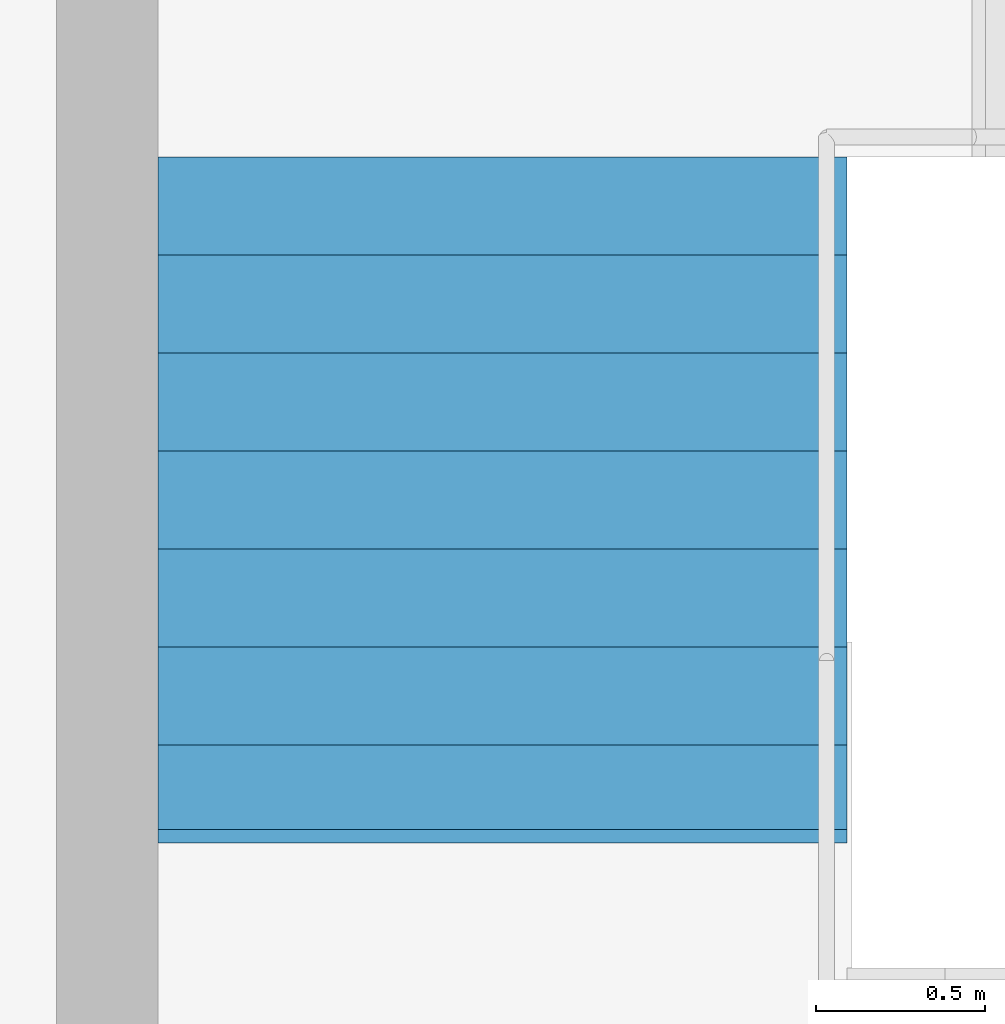
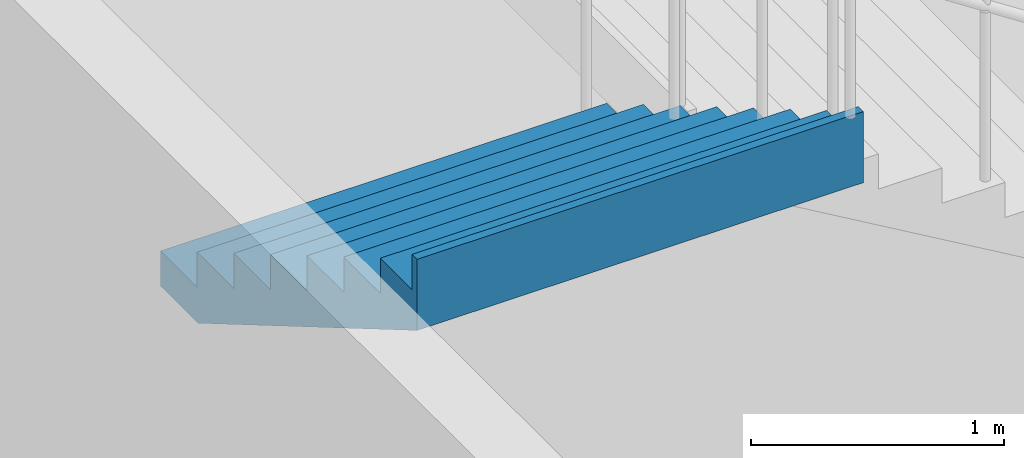
# One storey, part 42 of 50: 1 stair flight, 1 element without a shape of its own.
"""IFC4 building model written with IfcOpenShell, lengths in metres."""

import ifcopenshell
import ifcopenshell.guid

model = None  # the IFC model being written
_history = None  # IfcOwnerHistory: only IFC2X3 demands one
_inside = {}  # id of a spatial element -> (the spatial element, [elements in it])
_under = {}  # id of a project, library or spatial element -> (it, [spatial elements below it])
_declared = {}  # id of a project -> (the project, [libraries it declares])
_typed = {}  # id of a type object -> (the type object, [elements of that type])
_made_of = {}  # id of a material, layer set ... -> (it, [elements and type objects made of it])


def new_model(schema):
    """Start an empty IFC model of exactly this schema.

    Asked for "IFC4X3", IfcOpenShell would pick the latest addendum, in which some entities
    have other attributes; the version numbers below select the first issue.
    IFC2X3 requires an IfcOwnerHistory on every rooted entity: one is made here for all.
    """
    global model, _history
    if schema == "IFC4X3":
        model = ifcopenshell.file(schema_version=(4, 3, 0, 0))
    else:
        model = ifcopenshell.file(schema=schema)
    _inside.clear()
    _under.clear()
    _declared.clear()
    _typed.clear()
    _made_of.clear()
    _history = None
    if model.schema == "IFC2X3":
        org = make("IfcOrganization", Name="unknown")
        user = make(
            "IfcPersonAndOrganization",
            ThePerson=make("IfcPerson", FamilyName="unknown"),
            TheOrganization=org,
        )
        app = make(
            "IfcApplication",
            ApplicationDeveloper=org,
            Version="unknown",
            ApplicationFullName="unknown",
            ApplicationIdentifier="unknown",
        )
        _history = make(
            "IfcOwnerHistory",
            OwningUser=user,
            OwningApplication=app,
            ChangeAction="ADDED",
            CreationDate=0,
        )
    return model


def make(cls, **values):
    """One entity of the class cls with the attributes given. An attribute that is None is left unset."""
    return model.create_entity(
        cls, **{name: value for name, value in values.items() if value is not None}
    )


def rooted(cls, **values):
    """An entity with a GlobalId (a new one), such as an element, a storey or a relation."""
    return make(cls, GlobalId=ifcopenshell.guid.new(), OwnerHistory=_history, **values)


def si_unit(unit_type, name, prefix=None):
    """IfcSIUnit, for example si_unit("LENGTHUNIT", "METRE", prefix="MILLI")."""
    return make("IfcSIUnit", UnitType=unit_type, Prefix=prefix, Name=name)


def assignment(units):
    """IfcUnitAssignment: the units of a project."""
    return None if units is None else make("IfcUnitAssignment", Units=units)


def point(xyz):
    """IfcCartesianPoint."""
    return None if xyz is None else make("IfcCartesianPoint", Coordinates=xyz)


def direction(xyz):
    """IfcDirection."""
    return None if xyz is None else make("IfcDirection", DirectionRatios=xyz)


def frame(location, z_axis=None, x_axis=None):
    """IfcAxis2Placement3D, a coordinate frame: its origin and axes. An axis left out is left unset."""
    return make(
        "IfcAxis2Placement3D",
        Location=point(location),
        Axis=direction(z_axis),
        RefDirection=direction(x_axis),
    )


def origin():
    """The frame at (0, 0, 0) with its axes left unset."""
    return frame((0.0, 0.0, 0.0))


def place(relative_to, where):
    """IfcLocalPlacement: puts the frame where relative to a parent placement (None: the world)."""
    return make(
        "IfcLocalPlacement", PlacementRelTo=relative_to, RelativePlacement=where
    )


def context(
    kind, dimensions, precision=None, world=None, true_north=None, identifier=None
):
    """IfcGeometricRepresentationContext, for example the 3D "Model" context."""
    return make(
        "IfcGeometricRepresentationContext",
        ContextIdentifier=identifier,
        ContextType=kind,
        CoordinateSpaceDimension=dimensions,
        Precision=precision,
        WorldCoordinateSystem=world,
        TrueNorth=true_north,
    )


def subcontext(parent, identifier, kind, view, scale=None):
    """IfcGeometricRepresentationSubContext, for example "Body" below "Model"."""
    return make(
        "IfcGeometricRepresentationSubContext",
        ContextIdentifier=identifier,
        ContextType=kind,
        ParentContext=parent,
        TargetScale=scale,
        TargetView=view,
    )


def project(units=None, contexts=None):
    """IfcProject with its units and contexts."""
    return rooted(
        "IfcProject",
        Name="project",
        RepresentationContexts=contexts,
        UnitsInContext=assignment(units),
    )


def spatial(cls, under=None, at=None, **own):
    """A site, building, storey or space (cls), placed at a placement, below another one or the project."""
    s = rooted(cls, ObjectPlacement=at, **own)
    if under is not None:
        _under.setdefault(under.id(), (under, []))[1].append(s)
    return s


def point_list(points):
    """IfcCartesianPointList2D or 3D."""
    cls = (
        "IfcCartesianPointList2D" if len(points[0]) == 2 else "IfcCartesianPointList3D"
    )
    return make(cls, CoordList=points)


def triangles(points, corners, closed=None, point_numbers=None):
    """IfcTriangulatedFaceSet: each triangle names its three corners, points numbered from 1."""
    return make(
        "IfcTriangulatedFaceSet",
        Coordinates=point_list(points),
        Closed=closed,
        CoordIndex=corners,
        PnIndex=point_numbers,
    )


def shape(context_of_items, identifier, shape_type, items):
    """IfcShapeRepresentation: the items that make up one representation, for example the "Body"."""
    return make(
        "IfcShapeRepresentation",
        ContextOfItems=context_of_items,
        RepresentationIdentifier=identifier,
        RepresentationType=shape_type,
        Items=items,
    )


def material(Name=None, Category=None):
    """IfcMaterial."""
    return make("IfcMaterial", Name=Name, Category=Category)


def made_of(thing, what):
    """Note that an element or type object is made of a material, layer set ...; save() writes the relation."""
    if what is not None:
        _made_of.setdefault(what.id(), (what, []))[1].append(thing)
    return thing


def type_object(cls, material=None, **own):
    """A type object (cls), such as IfcWallType, which elements share."""
    return made_of(rooted(cls, **own), material)


def element(
    cls,
    number,
    at=None,
    inside=None,
    cuts=None,
    type_object=None,
    material=None,
    context=None,
    identifier="Body",
    shape_type=None,
    held_by="IfcProductDefinitionShape",
    body=None,
    shapes=None,
    **own,
):
    """One element of the class cls, such as IfcWall. Its Tag is "e" and its number.

    at: its placement. inside: the storey or other place that contains it. cuts: it is an
    opening in that element (IfcRelVoidsElement). A single representation is given by context,
    identifier, shape_type and body (its items); several are given by shapes. held_by: the class
    of the entity that holds the representations. save() writes the other relations.
    """
    e = rooted(cls, Tag="e%d" % number, ObjectPlacement=at, **own)
    if body is not None:
        shapes = [shape(context, identifier, shape_type, body)]
    if shapes is not None:
        e.Representation = make(held_by, Representations=shapes)
    if inside is not None:
        _inside.setdefault(inside.id(), (inside, []))[1].append(e)
    if cuts is not None:
        rooted(
            "IfcRelVoidsElement", RelatingBuildingElement=cuts, RelatedOpeningElement=e
        )
    if type_object is not None:
        _typed.setdefault(type_object.id(), (type_object, []))[1].append(e)
    return made_of(e, material)


def aggregate(whole, parts):
    """IfcRelAggregates: a whole, such as a stair, and the parts it consists of."""
    return rooted("IfcRelAggregates", RelatingObject=whole, RelatedObjects=parts)


def save(model, path):
    """Write the relations noted so far, then the file.

    IfcRelAggregates (storeys below a building ...), IfcRelContainedInSpatialStructure (elements
    in a storey), IfcRelDefinesByType, IfcRelAssociatesMaterial and IfcRelDeclares: one each for
    every whole, place, type object, material and project.
    """
    for whole, parts in _under.values():
        aggregate(whole, parts)
    for where, things in _inside.values():
        rooted(
            "IfcRelContainedInSpatialStructure",
            RelatedElements=things,
            RelatingStructure=where,
        )
    for kind, things in _typed.values():
        rooted("IfcRelDefinesByType", RelatedObjects=things, RelatingType=kind)
    for what, things in _made_of.values():
        rooted("IfcRelAssociatesMaterial", RelatedObjects=things, RelatingMaterial=what)
    for by, libraries in _declared.values():
        rooted("IfcRelDeclares", RelatingContext=by, RelatedDefinitions=libraries)
    model.write(path)


model = new_model("IFC4")

# Units and contexts
model_context = context("Model", 3, precision=1e-05, world=origin(), true_north=direction((0.0, 1.0)))
body_context = subcontext(model_context, "Body", "Model", "MODEL_VIEW")
ifc_project = project(units=[si_unit("LENGTHUNIT", "METRE"), si_unit("AREAUNIT", "SQUARE_METRE"), si_unit("VOLUMEUNIT", "CUBIC_METRE"), si_unit("PLANEANGLEUNIT", "RADIAN"), si_unit("MASSUNIT", "GRAM", prefix="KILO")], contexts=[model_context])

# Site, building, storey
site_placement = place(None, origin())
site = spatial("IfcSite", under=ifc_project, at=site_placement, CompositionType="ELEMENT")
building_placement = place(site_placement, origin())
building = spatial("IfcBuilding", under=site, at=building_placement, Name="Sillaruma Civic Art Gallery", CompositionType="ELEMENT")
storey_placement = place(building_placement, origin())
storey = spatial("IfcBuildingStorey", under=building, at=storey_placement, Name="L00", CompositionType="ELEMENT", Elevation=0.0)

# Stair, stair flight
ifc_material = material(Name="Concrete H35 (35 MPa)", Category="concrete")
stair_type = type_object("IfcStairType", Name="STR-4F-32", PredefinedType="USERDEFINED", material=ifc_material)
stair_placement = place(storey_placement, origin())
stair = element("IfcStair", 1, at=stair_placement, inside=storey, type_object=stair_type, Name="Protected Exit Stair ST-05 (East Wing) (L00)", ObjectType="THREE_RETURN_STAIR", PredefinedType="USERDEFINED")
stair_flight_type = type_object("IfcStairFlightType", Name="SFL-STR-8", PredefinedType="STRAIGHT", material=ifc_material)
stair_flight_placement = place(storey_placement, frame((143.179931640625, 15.840087890625, 4.080078125), z_axis=(0.0, 0.0, 1.0), x_axis=(0.0, -1.0, 0.0)))
stair_flight = element("IfcStairFlight", 2, at=stair_flight_placement, type_object=stair_flight_type, Name="ST-05 flight 4", NumberOfRisers=8, NumberOfTreads=7, PredefinedType="STRAIGHT", RiserHeight=0.17, TreadLength=0.29, context=body_context, shape_type="Tessellation", body=[
    triangles([(0.0, -1.02001953125, 0.0), (0.29, -1.02001953125, 0.0), (0.296443, -1.02001953125, 0.0), (0.58, -1.02001953125, 0.166223), (0.87, -1.02001953125, 0.336223), (1.16, -1.02001953125, 0.506223), (1.45, -1.02001953125, 0.676223), (1.74, -1.02001953125, 0.846223), (1.990029, -1.02001953125, 0.992792), (2.030029, -1.02001953125, 1.01624), (2.030029, -1.02001953125, 1.36), (1.990029, -1.02001953125, 1.36), (1.990029, -1.02001953125, 1.19), (1.74, -1.02001953125, 1.19), (1.74, -1.02001953125, 1.02), (1.45, -1.02001953125, 1.02), (1.45, -1.02001953125, 0.85), (1.16, -1.02001953125, 0.85), (1.16, -1.02001953125, 0.68), (0.87, -1.02001953125, 0.68), (0.87, -1.02001953125, 0.51), (0.58, -1.02001953125, 0.51), (0.58, -1.02001953125, 0.34), (0.296443, -1.02001953125, 0.34), (0.29, -1.02001953125, 0.34), (0.29, -1.02001953125, 0.17), (0.0, -1.02001953125, 0.17), (0.0, -0.05, 0.0), (0.29, -0.05, 0.0), (0.296443, -0.05, 0.0), (0.58, -0.05, 0.166223), (0.87, -0.05, 0.336223), (1.16, -0.05, 0.506223), (1.45, -0.05, 0.676223), (1.74, -0.05, 0.846223), (1.990029, -0.05, 0.992792), (2.030029, -0.05, 1.01624), (2.030029, -0.05, 1.36), (1.990029, -0.05, 1.36), (1.990029, -0.05, 1.19), (1.74, -0.05, 1.19), (1.74, -0.05, 1.02), (1.45, -0.05, 1.02), (1.45, -0.05, 0.85), (1.16, -0.05, 0.85), (1.16, -0.05, 0.68), (0.87, -0.05, 0.68), (0.87, -0.05, 0.51), (0.58, -0.05, 0.51), (0.58, -0.05, 0.34), (0.296443, -0.05, 0.34), (0.29, -0.05, 0.34), (0.29, -0.05, 0.17), (0.0, -0.05, 0.17), (0.0, -0.0375, 0.0), (0.29, -0.0375, 0.0), (0.296443, -0.0375, 0.0), (0.58, -0.0375, 0.166223), (0.87, -0.0375, 0.336223), (1.16, -0.0375, 0.506223), (1.45, -0.0375, 0.676223), (1.74, -0.0375, 0.846223), (1.990029, -0.0375, 0.992792), (2.030029, -0.0375, 1.01624), (2.030029, -0.0375, 1.36), (1.990029, -0.0375, 1.36), (1.990029, -0.0375, 1.19), (1.74, -0.0375, 1.19), (1.74, -0.0375, 1.02), (1.45, -0.0375, 1.02), (1.45, -0.0375, 0.85), (1.16, -0.0375, 0.85), (1.16, -0.0375, 0.68), (0.87, -0.0375, 0.68), (0.87, -0.0375, 0.51), (0.58, -0.0375, 0.51), (0.58, -0.0375, 0.34), (0.296443, -0.0375, 0.34), (0.29, -0.0375, 0.34), (0.29, -0.0375, 0.17), (0.0, -0.0375, 0.17), (0.0, -0.025, 0.0), (0.29, -0.025, 0.0), (0.296443, -0.025, 0.0), (0.58, -0.025, 0.166223), (0.87, -0.025, 0.336223), (1.16, -0.025, 0.506223), (1.45, -0.025, 0.676223), (1.74, -0.025, 0.846223), (1.990029, -0.025, 0.992792), (2.030029, -0.025, 1.01624), (2.030029, -0.025, 1.36), (1.990029, -0.025, 1.36), (1.990029, -0.025, 1.19), (1.74, -0.025, 1.19), (1.74, -0.025, 1.02), (1.45, -0.025, 1.02), (1.45, -0.025, 0.85), (1.16, -0.025, 0.85), (1.16, -0.025, 0.68), (0.87, -0.025, 0.68), (0.87, -0.025, 0.51), (0.58, -0.025, 0.51), (0.58, -0.025, 0.34), (0.296443, -0.025, 0.34), (0.29, -0.025, 0.34), (0.29, -0.025, 0.17), (0.0, -0.025, 0.17), (0.0, -0.0125, 0.0), (0.29, -0.0125, 0.0), (0.296443, -0.0125, 0.0), (0.58, -0.0125, 0.166223), (0.87, -0.0125, 0.336223), (1.16, -0.0125, 0.506223), (1.45, -0.0125, 0.676223), (1.74, -0.0125, 0.846223), (1.990029, -0.0125, 0.992792), (2.030029, -0.0125, 1.01624), (2.030029, -0.0125, 1.36), (1.990029, -0.0125, 1.36), (1.990029, -0.0125, 1.19), (1.74, -0.0125, 1.19), (1.74, -0.0125, 1.02), (1.45, -0.0125, 1.02), (1.45, -0.0125, 0.85), (1.16, -0.0125, 0.85), (1.16, -0.0125, 0.68), (0.87, -0.0125, 0.68), (0.87, -0.0125, 0.51), (0.58, -0.0125, 0.51), (0.58, -0.0125, 0.34), (0.296443, -0.0125, 0.34), (0.29, -0.0125, 0.34), (0.29, -0.0125, 0.17), (0.0, -0.0125, 0.17), (0.0, 0.0, 0.0), (0.29, 0.0, 0.0), (0.296443, 0.0, 0.0), (0.58, 0.0, 0.166223), (0.87, 0.0, 0.336223), (1.16, 0.0, 0.506223), (1.45, 0.0, 0.676223), (1.74, 0.0, 0.846223), (1.990029, 0.0, 0.992792), (2.030029, 0.0, 1.01624), (2.030029, 0.0, 1.36), (1.990029, 0.0, 1.36), (1.990029, 0.0, 1.19), (1.74, 0.0, 1.19), (1.74, 0.0, 1.02), (1.45, 0.0, 1.02), (1.45, 0.0, 0.85), (1.16, 0.0, 0.85), (1.16, 0.0, 0.68), (0.87, 0.0, 0.68), (0.87, 0.0, 0.51), (0.58, 0.0, 0.51), (0.58, 0.0, 0.34), (0.296443, 0.0, 0.34), (0.29, 0.0, 0.34), (0.29, 0.0, 0.17), (0.0, 0.0, 0.17), (0.0, 0.0125, 0.0), (0.29, 0.0125, 0.0), (0.296443, 0.0125, 0.0), (0.58, 0.0125, 0.166223), (0.87, 0.0125, 0.336223), (1.16, 0.0125, 0.506223), (1.45, 0.0125, 0.676223), (1.74, 0.0125, 0.846223), (1.990029, 0.0125, 0.992792), (2.030029, 0.0125, 1.01624), (2.030029, 0.0125, 1.36), (1.990029, 0.0125, 1.36), (1.990029, 0.0125, 1.19), (1.74, 0.0125, 1.19), (1.74, 0.0125, 1.02), (1.45, 0.0125, 1.02), (1.45, 0.0125, 0.85), (1.16, 0.0125, 0.85), (1.16, 0.0125, 0.68), (0.87, 0.0125, 0.68), (0.87, 0.0125, 0.51), (0.58, 0.0125, 0.51), (0.58, 0.0125, 0.34), (0.296443, 0.0125, 0.34), (0.29, 0.0125, 0.34), (0.29, 0.0125, 0.17), (0.0, 0.0125, 0.17), (0.0, 0.025, 0.0), (0.29, 0.025, 0.0), (0.296443, 0.025, 0.0), (0.58, 0.025, 0.166223), (0.87, 0.025, 0.336223), (1.16, 0.025, 0.506223), (1.45, 0.025, 0.676223), (1.74, 0.025, 0.846223), (1.990029, 0.025, 0.992792), (2.030029, 0.025, 1.01624), (2.030029, 0.025, 1.36), (1.990029, 0.025, 1.36), (1.990029, 0.025, 1.19), (1.74, 0.025, 1.19), (1.74, 0.025, 1.02), (1.45, 0.025, 1.02), (1.45, 0.025, 0.85), (1.16, 0.025, 0.85), (1.16, 0.025, 0.68), (0.87, 0.025, 0.68), (0.87, 0.025, 0.51), (0.58, 0.025, 0.51), (0.58, 0.025, 0.34), (0.296443, 0.025, 0.34), (0.29, 0.025, 0.34), (0.29, 0.025, 0.17), (0.0, 0.025, 0.17), (0.0, 0.0375, 0.0), (0.29, 0.0375, 0.0), (0.296443, 0.0375, 0.0), (0.58, 0.0375, 0.166223), (0.87, 0.0375, 0.336223), (1.16, 0.0375, 0.506223), (1.45, 0.0375, 0.676223), (1.74, 0.0375, 0.846223), (1.990029, 0.0375, 0.992792), (2.030029, 0.0375, 1.01624), (2.030029, 0.0375, 1.36), (1.990029, 0.0375, 1.36), (1.990029, 0.0375, 1.19), (1.74, 0.0375, 1.19), (1.74, 0.0375, 1.02), (1.45, 0.0375, 1.02), (1.45, 0.0375, 0.85), (1.16, 0.0375, 0.85), (1.16, 0.0375, 0.68), (0.87, 0.0375, 0.68), (0.87, 0.0375, 0.51), (0.58, 0.0375, 0.51), (0.58, 0.0375, 0.34), (0.296443, 0.0375, 0.34), (0.29, 0.0375, 0.34), (0.29, 0.0375, 0.17), (0.0, 0.0375, 0.17), (0.0, 0.05, 0.0), (0.29, 0.05, 0.0), (0.296443, 0.05, 0.0), (0.58, 0.05, 0.166223), (0.87, 0.05, 0.336223), (1.16, 0.05, 0.506223), (1.45, 0.05, 0.676223), (1.74, 0.05, 0.846223), (1.990029, 0.05, 0.992792), (2.030029, 0.05, 1.01624), (2.030029, 0.05, 1.36), (1.990029, 0.05, 1.36), (1.990029, 0.05, 1.19), (1.74, 0.05, 1.19), (1.74, 0.05, 1.02), (1.45, 0.05, 1.02), (1.45, 0.05, 0.85), (1.16, 0.05, 0.85), (1.16, 0.05, 0.68), (0.87, 0.05, 0.68), (0.87, 0.05, 0.51), (0.58, 0.05, 0.51), (0.58, 0.05, 0.34), (0.296443, 0.05, 0.34), (0.29, 0.05, 0.34), (0.29, 0.05, 0.17), (0.0, 0.05, 0.17), (0.0, 1.02001953125, 0.0), (0.29, 1.02001953125, 0.0), (0.296443, 1.02001953125, 0.0), (0.58, 1.02001953125, 0.166223), (0.87, 1.02001953125, 0.336223), (1.16, 1.02001953125, 0.506223), (1.45, 1.02001953125, 0.676223), (1.74, 1.02001953125, 0.846223), (1.990029, 1.02001953125, 0.992792), (2.030029, 1.02001953125, 1.01624), (2.030029, 1.02001953125, 1.36), (1.990029, 1.02001953125, 1.36), (1.990029, 1.02001953125, 1.19), (1.74, 1.02001953125, 1.19), (1.74, 1.02001953125, 1.02), (1.45, 1.02001953125, 1.02), (1.45, 1.02001953125, 0.85), (1.16, 1.02001953125, 0.85), (1.16, 1.02001953125, 0.68), (0.87, 1.02001953125, 0.68), (0.87, 1.02001953125, 0.51), (0.58, 1.02001953125, 0.51), (0.58, 1.02001953125, 0.34), (0.296443, 1.02001953125, 0.34), (0.29, 1.02001953125, 0.34), (0.29, 1.02001953125, 0.17), (0.0, 1.02001953125, 0.17)], [[1, 2, 26], [1, 26, 27], [2, 3, 24], [2, 24, 26], [26, 24, 25], [3, 4, 23], [3, 23, 24], [4, 5, 21], [4, 21, 23], [23, 21, 22], [5, 6, 19], [5, 19, 21], [21, 19, 20], [6, 7, 17], [6, 17, 19], [19, 17, 18], [7, 8, 15], [7, 15, 17], [17, 15, 16], [8, 9, 13], [8, 13, 15], [15, 13, 14], [9, 10, 11], [9, 11, 13], [13, 11, 12], [296, 272, 271], [297, 296, 271], [294, 273, 272], [296, 294, 272], [295, 294, 296], [293, 274, 273], [294, 293, 273], [291, 275, 274], [293, 291, 274], [292, 291, 293], [289, 276, 275], [291, 289, 275], [290, 289, 291], [287, 277, 276], [289, 287, 276], [288, 287, 289], [285, 278, 277], [287, 285, 277], [286, 285, 287], [283, 279, 278], [285, 283, 278], [284, 283, 285], [281, 280, 279], [283, 281, 279], [282, 281, 283], [2, 1, 28], [2, 28, 29], [3, 2, 29], [3, 29, 30], [4, 3, 30], [4, 30, 31], [5, 4, 31], [5, 31, 32], [6, 5, 32], [6, 32, 33], [7, 6, 33], [7, 33, 34], [8, 7, 34], [8, 34, 35], [9, 8, 35], [9, 35, 36], [10, 9, 36], [10, 36, 37], [11, 10, 37], [11, 37, 38], [12, 11, 38], [12, 38, 39], [13, 12, 39], [13, 39, 40], [14, 13, 40], [14, 40, 41], [15, 14, 41], [15, 41, 42], [16, 15, 42], [16, 42, 43], [17, 16, 43], [17, 43, 44], [18, 17, 44], [18, 44, 45], [19, 18, 45], [19, 45, 46], [20, 19, 46], [20, 46, 47], [21, 20, 47], [21, 47, 48], [22, 21, 48], [22, 48, 49], [23, 22, 49], [23, 49, 50], [24, 23, 50], [24, 50, 51], [25, 24, 51], [25, 51, 52], [26, 25, 52], [26, 52, 53], [27, 26, 53], [27, 53, 54], [1, 27, 54], [1, 54, 28], [29, 28, 55], [29, 55, 56], [30, 29, 56], [30, 56, 57], [31, 30, 57], [31, 57, 58], [32, 31, 58], [32, 58, 59], [33, 32, 59], [33, 59, 60], [34, 33, 60], [34, 60, 61], [35, 34, 61], [35, 61, 62], [36, 35, 62], [36, 62, 63], [37, 36, 63], [37, 63, 64], [38, 37, 64], [38, 64, 65], [39, 38, 65], [39, 65, 66], [40, 39, 66], [40, 66, 67], [41, 40, 67], [41, 67, 68], [42, 41, 68], [42, 68, 69], [43, 42, 69], [43, 69, 70], [44, 43, 70], [44, 70, 71], [45, 44, 71], [45, 71, 72], [46, 45, 72], [46, 72, 73], [47, 46, 73], [47, 73, 74], [48, 47, 74], [48, 74, 75], [49, 48, 75], [49, 75, 76], [50, 49, 76], [50, 76, 77], [51, 50, 77], [51, 77, 78], [52, 51, 78], [52, 78, 79], [53, 52, 79], [53, 79, 80], [54, 53, 80], [54, 80, 81], [28, 54, 81], [28, 81, 55], [56, 55, 82], [56, 82, 83], [57, 56, 83], [57, 83, 84], [58, 57, 84], [58, 84, 85], [59, 58, 85], [59, 85, 86], [60, 59, 86], [60, 86, 87], [61, 60, 87], [61, 87, 88], [62, 61, 88], [62, 88, 89], [63, 62, 89], [63, 89, 90], [64, 63, 90], [64, 90, 91], [65, 64, 91], [65, 91, 92], [66, 65, 92], [66, 92, 93], [67, 66, 93], [67, 93, 94], [68, 67, 94], [68, 94, 95], [69, 68, 95], [69, 95, 96], [70, 69, 96], [70, 96, 97], [71, 70, 97], [71, 97, 98], [72, 71, 98], [72, 98, 99], [73, 72, 99], [73, 99, 100], [74, 73, 100], [74, 100, 101], [75, 74, 101], [75, 101, 102], [76, 75, 102], [76, 102, 103], [77, 76, 103], [77, 103, 104], [78, 77, 104], [78, 104, 105], [79, 78, 105], [79, 105, 106], [80, 79, 106], [80, 106, 107], [81, 80, 107], [81, 107, 108], [55, 81, 108], [55, 108, 82], [83, 82, 109], [83, 109, 110], [84, 83, 110], [84, 110, 111], [85, 84, 111], [85, 111, 112], [86, 85, 112], [86, 112, 113], [87, 86, 113], [87, 113, 114], [88, 87, 114], [88, 114, 115], [89, 88, 115], [89, 115, 116], [90, 89, 116], [90, 116, 117], [91, 90, 117], [91, 117, 118], [92, 91, 118], [92, 118, 119], [93, 92, 119], [93, 119, 120], [94, 93, 120], [94, 120, 121], [95, 94, 121], [95, 121, 122], [96, 95, 122], [96, 122, 123], [97, 96, 123], [97, 123, 124], [98, 97, 124], [98, 124, 125], [99, 98, 125], [99, 125, 126], [100, 99, 126], [100, 126, 127], [101, 100, 127], [101, 127, 128], [102, 101, 128], [102, 128, 129], [103, 102, 129], [103, 129, 130], [104, 103, 130], [104, 130, 131], [105, 104, 131], [105, 131, 132], [106, 105, 132], [106, 132, 133], [107, 106, 133], [107, 133, 134], [108, 107, 134], [108, 134, 135], [82, 108, 135], [82, 135, 109], [110, 109, 136], [110, 136, 137], [111, 110, 137], [111, 137, 138], [112, 111, 138], [112, 138, 139], [113, 112, 139], [113, 139, 140], [114, 113, 140], [114, 140, 141], [115, 114, 141], [115, 141, 142], [116, 115, 142], [116, 142, 143], [117, 116, 143], [117, 143, 144], [118, 117, 144], [118, 144, 145], [119, 118, 145], [119, 145, 146], [120, 119, 146], [120, 146, 147], [121, 120, 147], [121, 147, 148], [122, 121, 148], [122, 148, 149], [123, 122, 149], [123, 149, 150], [124, 123, 150], [124, 150, 151], [125, 124, 151], [125, 151, 152], [126, 125, 152], [126, 152, 153], [127, 126, 153], [127, 153, 154], [128, 127, 154], [128, 154, 155], [129, 128, 155], [129, 155, 156], [130, 129, 156], [130, 156, 157], [131, 130, 157], [131, 157, 158], [132, 131, 158], [132, 158, 159], [133, 132, 159], [133, 159, 160], [134, 133, 160], [134, 160, 161], [135, 134, 161], [135, 161, 162], [109, 135, 162], [109, 162, 136], [137, 136, 163], [137, 163, 164], [138, 137, 164], [138, 164, 165], [139, 138, 165], [139, 165, 166], [140, 139, 166], [140, 166, 167], [141, 140, 167], [141, 167, 168], [142, 141, 168], [142, 168, 169], [143, 142, 169], [143, 169, 170], [144, 143, 170], [144, 170, 171], [145, 144, 171], [145, 171, 172], [146, 145, 172], [146, 172, 173], [147, 146, 173], [147, 173, 174], [148, 147, 174], [148, 174, 175], [149, 148, 175], [149, 175, 176], [150, 149, 176], [150, 176, 177], [151, 150, 177], [151, 177, 178], [152, 151, 178], [152, 178, 179], [153, 152, 179], [153, 179, 180], [154, 153, 180], [154, 180, 181], [155, 154, 181], [155, 181, 182], [156, 155, 182], [156, 182, 183], [157, 156, 183], [157, 183, 184], [158, 157, 184], [158, 184, 185], [159, 158, 185], [159, 185, 186], [160, 159, 186], [160, 186, 187], [161, 160, 187], [161, 187, 188], [162, 161, 188], [162, 188, 189], [136, 162, 189], [136, 189, 163], [164, 163, 190], [164, 190, 191], [165, 164, 191], [165, 191, 192], [166, 165, 192], [166, 192, 193], [167, 166, 193], [167, 193, 194], [168, 167, 194], [168, 194, 195], [169, 168, 195], [169, 195, 196], [170, 169, 196], [170, 196, 197], [171, 170, 197], [171, 197, 198], [172, 171, 198], [172, 198, 199], [173, 172, 199], [173, 199, 200], [174, 173, 200], [174, 200, 201], [175, 174, 201], [175, 201, 202], [176, 175, 202], [176, 202, 203], [177, 176, 203], [177, 203, 204], [178, 177, 204], [178, 204, 205], [179, 178, 205], [179, 205, 206], [180, 179, 206], [180, 206, 207], [181, 180, 207], [181, 207, 208], [182, 181, 208], [182, 208, 209], [183, 182, 209], [183, 209, 210], [184, 183, 210], [184, 210, 211], [185, 184, 211], [185, 211, 212], [186, 185, 212], [186, 212, 213], [187, 186, 213], [187, 213, 214], [188, 187, 214], [188, 214, 215], [189, 188, 215], [189, 215, 216], [163, 189, 216], [163, 216, 190], [191, 190, 217], [191, 217, 218], [192, 191, 218], [192, 218, 219], [193, 192, 219], [193, 219, 220], [194, 193, 220], [194, 220, 221], [195, 194, 221], [195, 221, 222], [196, 195, 222], [196, 222, 223], [197, 196, 223], [197, 223, 224], [198, 197, 224], [198, 224, 225], [199, 198, 225], [199, 225, 226], [200, 199, 226], [200, 226, 227], [201, 200, 227], [201, 227, 228], [202, 201, 228], [202, 228, 229], [203, 202, 229], [203, 229, 230], [204, 203, 230], [204, 230, 231], [205, 204, 231], [205, 231, 232], [206, 205, 232], [206, 232, 233], [207, 206, 233], [207, 233, 234], [208, 207, 234], [208, 234, 235], [209, 208, 235], [209, 235, 236], [210, 209, 236], [210, 236, 237], [211, 210, 237], [211, 237, 238], [212, 211, 238], [212, 238, 239], [213, 212, 239], [213, 239, 240], [214, 213, 240], [214, 240, 241], [215, 214, 241], [215, 241, 242], [216, 215, 242], [216, 242, 243], [190, 216, 243], [190, 243, 217], [218, 217, 244], [218, 244, 245], [219, 218, 245], [219, 245, 246], [220, 219, 246], [220, 246, 247], [221, 220, 247], [221, 247, 248], [222, 221, 248], [222, 248, 249], [223, 222, 249], [223, 249, 250], [224, 223, 250], [224, 250, 251], [225, 224, 251], [225, 251, 252], [226, 225, 252], [226, 252, 253], [227, 226, 253], [227, 253, 254], [228, 227, 254], [228, 254, 255], [229, 228, 255], [229, 255, 256], [230, 229, 256], [230, 256, 257], [231, 230, 257], [231, 257, 258], [232, 231, 258], [232, 258, 259], [233, 232, 259], [233, 259, 260], [234, 233, 260], [234, 260, 261], [235, 234, 261], [235, 261, 262], [236, 235, 262], [236, 262, 263], [237, 236, 263], [237, 263, 264], [238, 237, 264], [238, 264, 265], [239, 238, 265], [239, 265, 266], [240, 239, 266], [240, 266, 267], [241, 240, 267], [241, 267, 268], [242, 241, 268], [242, 268, 269], [243, 242, 269], [243, 269, 270], [217, 243, 270], [217, 270, 244], [245, 244, 271], [245, 271, 272], [246, 245, 272], [246, 272, 273], [247, 246, 273], [247, 273, 274], [248, 247, 274], [248, 274, 275], [249, 248, 275], [249, 275, 276], [250, 249, 276], [250, 276, 277], [251, 250, 277], [251, 277, 278], [252, 251, 278], [252, 278, 279], [253, 252, 279], [253, 279, 280], [254, 253, 280], [254, 280, 281], [255, 254, 281], [255, 281, 282], [256, 255, 282], [256, 282, 283], [257, 256, 283], [257, 283, 284], [258, 257, 284], [258, 284, 285], [259, 258, 285], [259, 285, 286], [260, 259, 286], [260, 286, 287], [261, 260, 287], [261, 287, 288], [262, 261, 288], [262, 288, 289], [263, 262, 289], [263, 289, 290], [264, 263, 290], [264, 290, 291], [265, 264, 291], [265, 291, 292], [266, 265, 292], [266, 292, 293], [267, 266, 293], [267, 293, 294], [268, 267, 294], [268, 294, 295], [269, 268, 295], [269, 295, 296], [270, 269, 296], [270, 296, 297], [244, 270, 297], [244, 297, 271]], closed=True),
])
aggregate(stair, [stair_flight])

save(model, "model.ifc")
